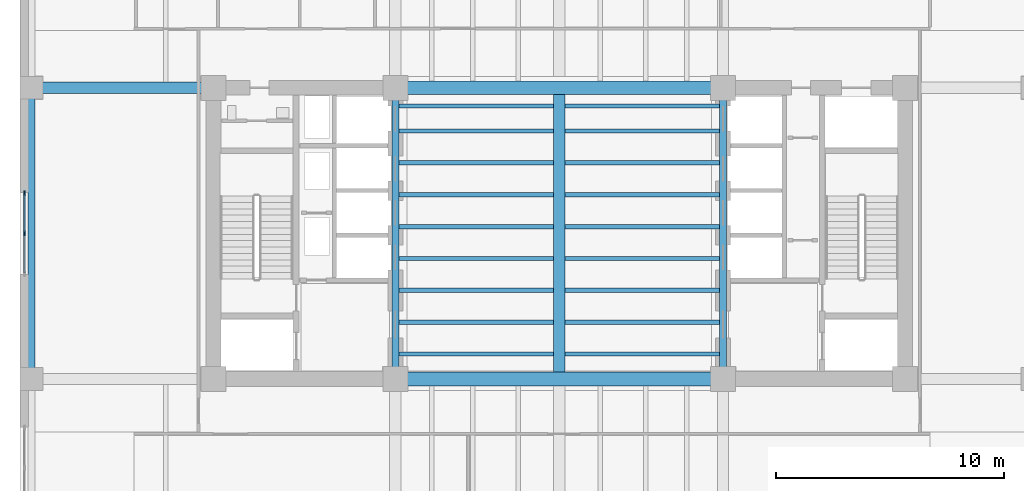
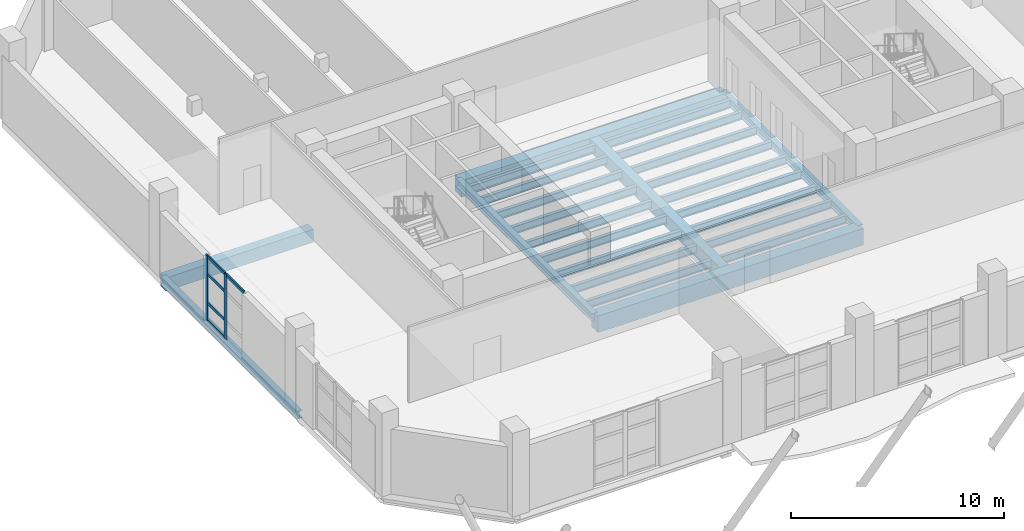
# One storey, part 3 of 16: 25 beams, 7 members, 1 element without a shape of its own.
"""IFC4 building model written with IfcOpenShell, lengths in metres."""

from ifc_helpers import new_model, si_unit, direction, frame, origin, origin_2d, place, context, subcontext, project, spatial, rectangle, i_section, extrude, material, layer, layer_set, material_profile, profile_set, type_object, element, aggregate, save


model = new_model("IFC4")

# Units and contexts
model_context = context("Model", 3, precision=1e-05, world=origin(), true_north=direction((0.0, 1.0)))
body_context = subcontext(model_context, "Body", "Model", "MODEL_VIEW")
ifc_project = project(units=[si_unit("LENGTHUNIT", "METRE"), si_unit("AREAUNIT", "SQUARE_METRE"), si_unit("VOLUMEUNIT", "CUBIC_METRE"), si_unit("PLANEANGLEUNIT", "RADIAN"), si_unit("MASSUNIT", "GRAM", prefix="KILO")], contexts=[model_context])

# Site, building, storey
site_placement = place(None, origin())
site = spatial("IfcSite", under=ifc_project, at=site_placement, CompositionType="ELEMENT")
building_placement = place(site_placement, origin())
building = spatial("IfcBuilding", under=site, at=building_placement, Name="Kranthara Brick Stack", CompositionType="ELEMENT")
storey_placement = place(building_placement, frame((0.0, 0.0, 115.5)))
storey = spatial("IfcBuildingStorey", under=building, at=storey_placement, Name="L28", CompositionType="ELEMENT", Elevation=115.5)

# Beams
ifc_material_1 = material(Name="Concrete C60/75", Category="concrete")
ifc_material_profile_1 = material_profile(ifc_material_1, rectangle(XDim=0.60009765625, YDim=0.949951171875, at=origin_2d()), Name="RC 600x950")
ifc_profile_set_1 = profile_set([ifc_material_profile_1], Name="Concrete C60/75")
beam_type_1 = type_object("IfcBeamType", Name="BM-CPL-RC950", PredefinedType="LINTEL", material=ifc_profile_set_1)
for number, where, z_axis, x_axis, name in (
    (1, (20.800048828125, 20.800048828125, -0.8349609375), (1.0, 0.0, 0.0), (0.0, 1.0, 0.0), "L28 Core Coupling Beam 001"),
    (2, (20.800048828125, 33.60009765625, -0.8349609375), (1.0, 0.0, 0.0), (0.0, 1.0, 0.0), "L28 Core Coupling Beam 002"),
):
    element("IfcBeam", number, at=place(storey_placement, frame(where, z_axis=z_axis, x_axis=x_axis)), inside=storey, type_object=beam_type_1, Name=name, PredefinedType="LINTEL", context=body_context, shape_type="SweptSolid", body=[
        extrude(rectangle(XDim=0.60009765625, YDim=0.949951171875, at=origin_2d()), origin(), (0.0, 0.0, 1.0), 14.39990234375),
    ])
ifc_material_2 = material(Name="Post-tensioned concrete C45/55", Category="concrete")
ifc_material_profile_2 = material_profile(ifc_material_2, rectangle(XDim=0.5, YDim=0.75, at=origin_2d()), Name="PT 500x750")
ifc_profile_set_2 = profile_set([ifc_material_profile_2], Name="Post-tensioned concrete C45/55")
beam_type_2 = type_object("IfcBeamType", Name="BM-FLR-PT750", PredefinedType="BEAM", material=ifc_profile_set_2)
beam_1_placement = place(storey_placement, frame((28.0, 21.10009765625, -0.735107421875), z_axis=(0.0, 1.0, 0.0), x_axis=(-1.0, 0.0, 0.0)))
element("IfcBeam", 3, at=beam_1_placement, inside=storey, type_object=beam_type_2, Name="L28 Central Spine Girder 026", PredefinedType="BEAM", context=body_context, shape_type="SweptSolid", body=[
    extrude(rectangle(XDim=0.5, YDim=0.75, at=origin_2d()), origin(), (0.0, 0.0, 1.0), 12.199951171875),
])
beam_2_placement = place(storey_placement, frame((4.800048828125, 33.60009765625, -0.735107421875), z_axis=(1.0, 0.0, 0.0), x_axis=(0.0, 1.0, 0.0)))
element("IfcBeam", 4, at=beam_2_placement, inside=storey, type_object=beam_type_2, Name="L28 Primary Grid Girder 032", PredefinedType="BEAM", context=body_context, shape_type="SweptSolid", body=[
    extrude(rectangle(XDim=0.5, YDim=0.75, at=origin_2d()), origin(), (0.0, 0.0, 1.0), 8.0),
])
ifc_material_3 = material(Name="Steel S355", Category="steel")
ifc_material_profile_3 = material_profile(ifc_material_3, i_section(OverallWidth=0.18994140625, OverallDepth=0.449951171875, WebThickness=0.009521484375, FlangeThickness=0.0146484375, at=origin_2d()), Name="IPE 450")
ifc_profile_set_3 = profile_set([ifc_material_profile_3], Name="Steel S355")
beam_type_3 = type_object("IfcBeamType", Name="BM-JST-IPE450", PredefinedType="JOIST", material=ifc_profile_set_3)
for number, where, z_axis, x_axis, name in (
    (5, (20.949951171875, 21.89990234375, -0.5849609375), (1.0, 0.0, 0.0), (0.0, 1.0, 0.0), "L28 Central Floor Joist 034"),
    (6, (28.25, 21.89990234375, -0.5849609375), (1.0, 0.0, 0.0), (0.0, 1.0, 0.0), "L28 Central Floor Joist 035"),
    (7, (20.949951171875, 23.300048828125, -0.5849609375), (1.0, 0.0, 0.0), (0.0, 1.0, 0.0), "L28 Central Floor Joist 036"),
    (8, (28.25, 23.300048828125, -0.5849609375), (1.0, 0.0, 0.0), (0.0, 1.0, 0.0), "L28 Central Floor Joist 037"),
    (9, (20.949951171875, 24.699951171875, -0.5849609375), (1.0, 0.0, 0.0), (0.0, 1.0, 0.0), "L28 Central Floor Joist 038"),
    (10, (28.25, 24.699951171875, -0.5849609375), (1.0, 0.0, 0.0), (0.0, 1.0, 0.0), "L28 Central Floor Joist 039"),
    (11, (20.949951171875, 26.10009765625, -0.5849609375), (1.0, 0.0, 0.0), (0.0, 1.0, 0.0), "L28 Central Floor Joist 040"),
    (12, (28.25, 26.10009765625, -0.5849609375), (1.0, 0.0, 0.0), (0.0, 1.0, 0.0), "L28 Central Floor Joist 041"),
    (13, (20.949951171875, 27.5, -0.5849609375), (1.0, 0.0, 0.0), (0.0, 1.0, 0.0), "L28 Central Floor Joist 042"),
    (14, (28.25, 27.5, -0.5849609375), (1.0, 0.0, 0.0), (0.0, 1.0, 0.0), "L28 Central Floor Joist 043"),
    (15, (20.949951171875, 28.89990234375, -0.5849609375), (1.0, 0.0, 0.0), (0.0, 1.0, 0.0), "L28 Central Floor Joist 044"),
    (16, (28.25, 28.89990234375, -0.5849609375), (1.0, 0.0, 0.0), (0.0, 1.0, 0.0), "L28 Central Floor Joist 045"),
    (17, (20.949951171875, 30.300048828125, -0.5849609375), (1.0, 0.0, 0.0), (0.0, 1.0, 0.0), "L28 Central Floor Joist 046"),
    (18, (28.25, 30.300048828125, -0.5849609375), (1.0, 0.0, 0.0), (0.0, 1.0, 0.0), "L28 Central Floor Joist 047"),
    (19, (20.949951171875, 31.699951171875, -0.5849609375), (1.0, 0.0, 0.0), (0.0, 1.0, 0.0), "L28 Central Floor Joist 048"),
    (20, (28.25, 31.699951171875, -0.5849609375), (1.0, 0.0, 0.0), (0.0, 1.0, 0.0), "L28 Central Floor Joist 049"),
    (21, (20.949951171875, 32.800048828125, -0.5849609375), (1.0, 0.0, 0.0), (0.0, 1.0, 0.0), "L28 Central Floor Joist 050"),
    (22, (28.25, 32.800048828125, -0.5849609375), (1.0, 0.0, 0.0), (0.0, 1.0, 0.0), "L28 Central Floor Joist 051"),
):
    element("IfcBeam", number, at=place(storey_placement, frame(where, z_axis=z_axis, x_axis=x_axis)), inside=storey, type_object=beam_type_3, Name=name, PredefinedType="JOIST", context=body_context, shape_type="SweptSolid", body=[
        extrude(i_section(OverallWidth=0.18994140625, OverallDepth=0.449951171875, WebThickness=0.009521484375, FlangeThickness=0.0146484375, at=origin_2d()), origin(), (0.0, 0.0, 1.0), 6.800048828125),
    ])
ifc_material_4 = material(Name="Steel S355", Category="steel")
ifc_material_profile_4 = material_profile(ifc_material_4, i_section(OverallWidth=0.300048828125, OverallDepth=0.449951171875, WebThickness=0.013916015625, FlangeThickness=0.02587890625, at=origin_2d()), Name="HEB 450")
ifc_profile_set_4 = profile_set([ifc_material_profile_4], Name="Steel S355")
beam_type_4 = type_object("IfcBeamType", Name="BM-STL-HEB450", PredefinedType="SPANDREL", material=ifc_profile_set_4)
for number, where, z_axis, x_axis, name in (
    (23, (20.800048828125, 20.800048828125, -0.5849609375), (0.0, 1.0, 0.0), (-1.0, 0.0, 0.0), "L28 Core Edge Tie Beam 003"),
    (24, (35.199951171875, 20.800048828125, -0.5849609375), (0.0, 1.0, 0.0), (-1.0, 0.0, 0.0), "L28 Core Edge Tie Beam 004"),
    (25, (4.800048828125, 20.800048828125, -0.5849609375), (0.0, 1.0, 0.0), (-1.0, 0.0, 0.0), "L28 Perimeter Spandrel Beam 014"),
):
    element("IfcBeam", number, at=place(storey_placement, frame(where, z_axis=z_axis, x_axis=x_axis)), inside=storey, type_object=beam_type_4, Name=name, PredefinedType="SPANDREL", context=body_context, shape_type="SweptSolid", body=[
        extrude(i_section(OverallWidth=0.300048828125, OverallDepth=0.449951171875, WebThickness=0.013916015625, FlangeThickness=0.02587890625, at=origin_2d()), origin(), (0.0, 0.0, 1.0), 12.800048828125),
    ])

# Curtain wall, members
ifc_material_5 = material(Name="Bronze anodised aluminium and low-E glass", Category="aluminium")
ifc_layer = layer(ifc_material_5, 0.219970703125)
ifc_layer_set = layer_set([ifc_layer], Name="Bronze anodised aluminium and low-E glass")
curtain_wall_type = type_object("IfcCurtainWallType", Name="CW-SYS3-SKYLOBBY1", PredefinedType="USERDEFINED", material=ifc_layer_set)
curtain_wall_placement = place(storey_placement, origin())
curtain_wall = element("IfcCurtainWall", 26, at=curtain_wall_placement, inside=storey, type_object=curtain_wall_type, Name="L28 Curtain Wall CW3-L28-06", ObjectType="UNITISED CURTAIN WALL", PredefinedType="USERDEFINED")
ifc_material_6 = material(Name="Bronze anodised aluminium 6063-T6", Category="aluminium")
ifc_material_profile_5 = material_profile(ifc_material_6, rectangle(XDim=0.074951171875, YDim=0.219970703125, at=origin_2d()), Name="ALU MULLION 75x220")
ifc_profile_set_5 = profile_set([ifc_material_profile_5], Name="Bronze anodised aluminium 6063-T6")
member_type_1 = type_object("IfcMemberType", Name="CWM-75x220", PredefinedType="MULLION", material=ifc_profile_set_5)
member_1_placement = place(storey_placement, frame((4.4951171875, 27.199951171875, 0.0), z_axis=(0.0, 0.0, 1.0), x_axis=(-1.0, 0.0, 0.0)))
member_1 = element("IfcMember", 27, at=member_1_placement, type_object=member_type_1, Name="CW mullion 2", PredefinedType="MULLION", context=body_context, shape_type="SweptSolid", body=[
    extrude(rectangle(XDim=0.074951171875, YDim=0.219970703125, at=origin_2d()), origin(), (0.0, 0.0, 1.0), 3.735107421875),
])
member_2_placement = place(storey_placement, frame((4.4951171875, 28.96240234375, 0.0), z_axis=(0.0, 0.0, 1.0), x_axis=(-1.0, 0.0, 0.0)))
member_2 = element("IfcMember", 28, at=member_2_placement, type_object=member_type_1, Name="CW mullion 3", PredefinedType="MULLION", context=body_context, shape_type="SweptSolid", body=[
    extrude(rectangle(XDim=0.074951171875, YDim=0.219970703125, at=origin_2d()), origin(), (0.0, 0.0, 1.0), 3.735107421875),
])
ifc_material_7 = material(Name="Bronze anodised aluminium 6063-T6", Category="aluminium")
ifc_material_profile_6 = material_profile(ifc_material_7, rectangle(XDim=0.074951171875, YDim=0.1650390625, at=origin_2d()), Name="ALU TRANSOM 75x165")
ifc_profile_set_6 = profile_set([ifc_material_profile_6], Name="Bronze anodised aluminium 6063-T6")
member_type_2 = type_object("IfcMemberType", Name="CWT-75x165", PredefinedType="USERDEFINED", material=ifc_profile_set_6)
member_3_placement = place(storey_placement, frame((4.4951171875, 25.47509765625, 3.697509765625), z_axis=(0.0, 1.0, 0.0), x_axis=(-1.0, 0.0, 0.0)))
member_3 = element("IfcMember", 29, at=member_3_placement, type_object=member_type_2, Name="CW transom 1.4", ObjectType="TRANSOM", PredefinedType="USERDEFINED", context=body_context, shape_type="SweptSolid", body=[
    extrude(rectangle(XDim=0.074951171875, YDim=0.1650390625, at=origin_2d()), origin(), (0.0, 0.0, 1.0), 1.6875),
])
member_4_placement = place(storey_placement, frame((4.4951171875, 27.237548828125, 0.03759765625), z_axis=(0.0, 1.0, 0.0), x_axis=(-1.0, 0.0, 0.0)))
member_4 = element("IfcMember", 30, at=member_4_placement, type_object=member_type_2, Name="CW transom 2.1", ObjectType="TRANSOM", PredefinedType="USERDEFINED", context=body_context, shape_type="SweptSolid", body=[
    extrude(rectangle(XDim=0.074951171875, YDim=0.1650390625, at=origin_2d()), origin(), (0.0, 0.0, 1.0), 1.6875),
])
member_5_placement = place(storey_placement, frame((4.4951171875, 27.237548828125, 1.0458984375), z_axis=(0.0, 1.0, 0.0), x_axis=(-1.0, 0.0, 0.0)))
member_5 = element("IfcMember", 31, at=member_5_placement, type_object=member_type_2, Name="CW transom 2.2", ObjectType="TRANSOM", PredefinedType="USERDEFINED", context=body_context, shape_type="SweptSolid", body=[
    extrude(rectangle(XDim=0.074951171875, YDim=0.1650390625, at=origin_2d()), origin(), (0.0, 0.0, 1.0), 1.6875),
])
member_6_placement = place(storey_placement, frame((4.4951171875, 27.237548828125, 2.689208984375), z_axis=(0.0, 1.0, 0.0), x_axis=(-1.0, 0.0, 0.0)))
member_6 = element("IfcMember", 32, at=member_6_placement, type_object=member_type_2, Name="CW transom 2.3", ObjectType="TRANSOM", PredefinedType="USERDEFINED", context=body_context, shape_type="SweptSolid", body=[
    extrude(rectangle(XDim=0.074951171875, YDim=0.1650390625, at=origin_2d()), origin(), (0.0, 0.0, 1.0), 1.6875),
])
member_7_placement = place(storey_placement, frame((4.4951171875, 27.237548828125, 3.697509765625), z_axis=(0.0, 1.0, 0.0), x_axis=(-1.0, 0.0, 0.0)))
member_7 = element("IfcMember", 33, at=member_7_placement, type_object=member_type_2, Name="CW transom 2.4", ObjectType="TRANSOM", PredefinedType="USERDEFINED", context=body_context, shape_type="SweptSolid", body=[
    extrude(rectangle(XDim=0.074951171875, YDim=0.1650390625, at=origin_2d()), origin(), (0.0, 0.0, 1.0), 1.6875),
])
aggregate(curtain_wall, [member_1, member_2, member_3, member_4, member_5, member_6, member_7])

save(model, "model.ifc")
